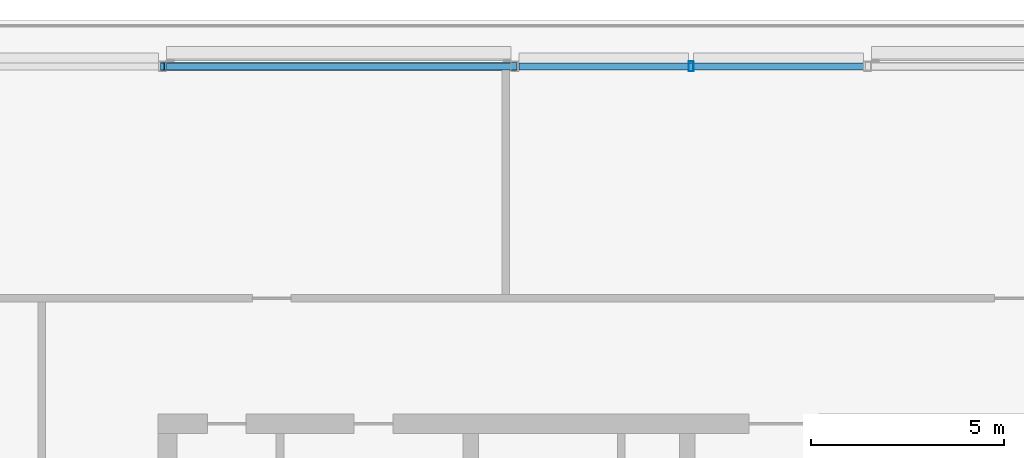
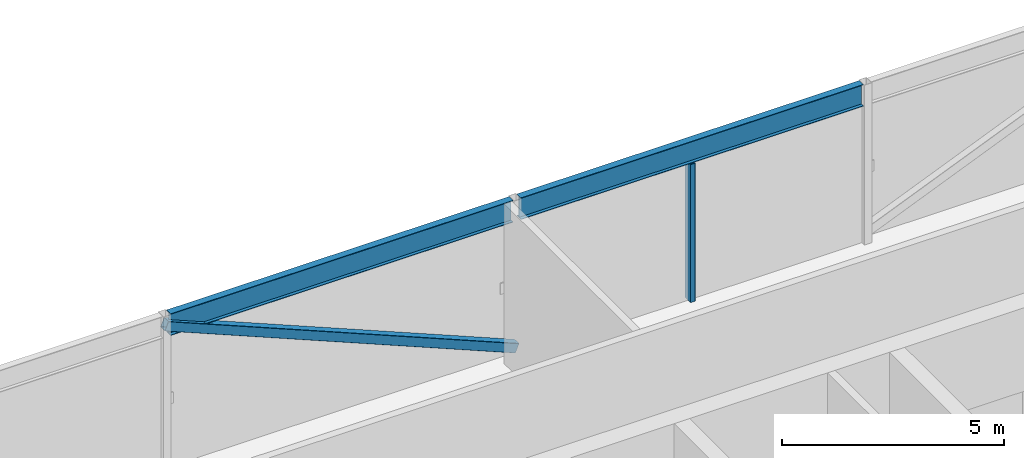
# One storey, part 12 of 29: 2 beams, 2 members.
"""IFC4 building model written with IfcOpenShell, lengths in metres."""

import ifcopenshell
import ifcopenshell.guid

model = None  # the IFC model being written
_history = None  # IfcOwnerHistory: only IFC2X3 demands one
_inside = {}  # id of a spatial element -> (the spatial element, [elements in it])
_under = {}  # id of a project, library or spatial element -> (it, [spatial elements below it])
_declared = {}  # id of a project -> (the project, [libraries it declares])
_typed = {}  # id of a type object -> (the type object, [elements of that type])
_made_of = {}  # id of a material, layer set ... -> (it, [elements and type objects made of it])


def new_model(schema):
    """Start an empty IFC model of exactly this schema.

    Asked for "IFC4X3", IfcOpenShell would pick the latest addendum, in which some entities
    have other attributes; the version numbers below select the first issue.
    IFC2X3 requires an IfcOwnerHistory on every rooted entity: one is made here for all.
    """
    global model, _history
    if schema == "IFC4X3":
        model = ifcopenshell.file(schema_version=(4, 3, 0, 0))
    else:
        model = ifcopenshell.file(schema=schema)
    _inside.clear()
    _under.clear()
    _declared.clear()
    _typed.clear()
    _made_of.clear()
    _history = None
    if model.schema == "IFC2X3":
        org = make("IfcOrganization", Name="unknown")
        user = make(
            "IfcPersonAndOrganization",
            ThePerson=make("IfcPerson", FamilyName="unknown"),
            TheOrganization=org,
        )
        app = make(
            "IfcApplication",
            ApplicationDeveloper=org,
            Version="unknown",
            ApplicationFullName="unknown",
            ApplicationIdentifier="unknown",
        )
        _history = make(
            "IfcOwnerHistory",
            OwningUser=user,
            OwningApplication=app,
            ChangeAction="ADDED",
            CreationDate=0,
        )
    return model


def make(cls, **values):
    """One entity of the class cls with the attributes given. An attribute that is None is left unset."""
    return model.create_entity(
        cls, **{name: value for name, value in values.items() if value is not None}
    )


def rooted(cls, **values):
    """An entity with a GlobalId (a new one), such as an element, a storey or a relation."""
    return make(cls, GlobalId=ifcopenshell.guid.new(), OwnerHistory=_history, **values)


def si_unit(unit_type, name, prefix=None):
    """IfcSIUnit, for example si_unit("LENGTHUNIT", "METRE", prefix="MILLI")."""
    return make("IfcSIUnit", UnitType=unit_type, Prefix=prefix, Name=name)


def assignment(units):
    """IfcUnitAssignment: the units of a project."""
    return None if units is None else make("IfcUnitAssignment", Units=units)


def point(xyz):
    """IfcCartesianPoint."""
    return None if xyz is None else make("IfcCartesianPoint", Coordinates=xyz)


def direction(xyz):
    """IfcDirection."""
    return None if xyz is None else make("IfcDirection", DirectionRatios=xyz)


def frame(location, z_axis=None, x_axis=None):
    """IfcAxis2Placement3D, a coordinate frame: its origin and axes. An axis left out is left unset."""
    return make(
        "IfcAxis2Placement3D",
        Location=point(location),
        Axis=direction(z_axis),
        RefDirection=direction(x_axis),
    )


def frame_2d(location, x_axis=None):
    """IfcAxis2Placement2D, a coordinate frame in the plane: its origin and x axis."""
    return make(
        "IfcAxis2Placement2D", Location=point(location), RefDirection=direction(x_axis)
    )


def origin():
    """The frame at (0, 0, 0) with its axes left unset."""
    return frame((0.0, 0.0, 0.0))


def origin_2d():
    """The frame at (0, 0) in the plane with its x axis left unset."""
    return frame_2d((0.0, 0.0))


def place(relative_to, where):
    """IfcLocalPlacement: puts the frame where relative to a parent placement (None: the world)."""
    return make(
        "IfcLocalPlacement", PlacementRelTo=relative_to, RelativePlacement=where
    )


def context(
    kind, dimensions, precision=None, world=None, true_north=None, identifier=None
):
    """IfcGeometricRepresentationContext, for example the 3D "Model" context."""
    return make(
        "IfcGeometricRepresentationContext",
        ContextIdentifier=identifier,
        ContextType=kind,
        CoordinateSpaceDimension=dimensions,
        Precision=precision,
        WorldCoordinateSystem=world,
        TrueNorth=true_north,
    )


def subcontext(parent, identifier, kind, view, scale=None):
    """IfcGeometricRepresentationSubContext, for example "Body" below "Model"."""
    return make(
        "IfcGeometricRepresentationSubContext",
        ContextIdentifier=identifier,
        ContextType=kind,
        ParentContext=parent,
        TargetScale=scale,
        TargetView=view,
    )


def project(units=None, contexts=None):
    """IfcProject with its units and contexts."""
    return rooted(
        "IfcProject",
        Name="project",
        RepresentationContexts=contexts,
        UnitsInContext=assignment(units),
    )


def spatial(cls, under=None, at=None, **own):
    """A site, building, storey or space (cls), placed at a placement, below another one or the project."""
    s = rooted(cls, ObjectPlacement=at, **own)
    if under is not None:
        _under.setdefault(under.id(), (under, []))[1].append(s)
    return s


def profile(cls, at=None, kind="AREA", **sizes):
    """A parametric profile (cls). Its sizes go by their IFC names, for example OverallWidth=200.0."""
    return make(cls, ProfileType=kind, Position=at, **sizes)


def hollow_rectangle(**sizes):
    """IfcRectangleHollowProfileDef."""
    return profile("IfcRectangleHollowProfileDef", **sizes)


def i_section(**sizes):
    """IfcIShapeProfileDef."""
    return profile("IfcIShapeProfileDef", **sizes)


def extrude(swept, where, along, depth):
    """IfcExtrudedAreaSolid: the profile swept, set in the frame where, extruded along a direction by depth."""
    return make(
        "IfcExtrudedAreaSolid",
        SweptArea=swept,
        Position=where,
        ExtrudedDirection=direction(along),
        Depth=depth,
    )


def shape(context_of_items, identifier, shape_type, items):
    """IfcShapeRepresentation: the items that make up one representation, for example the "Body"."""
    return make(
        "IfcShapeRepresentation",
        ContextOfItems=context_of_items,
        RepresentationIdentifier=identifier,
        RepresentationType=shape_type,
        Items=items,
    )


def material(Name=None, Category=None):
    """IfcMaterial."""
    return make("IfcMaterial", Name=Name, Category=Category)


def material_profile(
    of_material, cross_section, Name=None, Category=None, Priority=None
):
    """IfcMaterialProfile: a cross section and its material."""
    return make(
        "IfcMaterialProfile",
        Name=Name,
        Material=of_material,
        Profile=cross_section,
        Priority=Priority,
        Category=Category,
    )


def profile_set(profiles, Name=None, composite=None):
    """IfcMaterialProfileSet."""
    return make(
        "IfcMaterialProfileSet",
        Name=Name,
        MaterialProfiles=profiles,
        CompositeProfile=composite,
    )


def made_of(thing, what):
    """Note that an element or type object is made of a material, layer set ...; save() writes the relation."""
    if what is not None:
        _made_of.setdefault(what.id(), (what, []))[1].append(thing)
    return thing


def type_object(cls, material=None, **own):
    """A type object (cls), such as IfcWallType, which elements share."""
    return made_of(rooted(cls, **own), material)


def element(
    cls,
    number,
    at=None,
    inside=None,
    cuts=None,
    type_object=None,
    material=None,
    context=None,
    identifier="Body",
    shape_type=None,
    held_by="IfcProductDefinitionShape",
    body=None,
    shapes=None,
    **own,
):
    """One element of the class cls, such as IfcWall. Its Tag is "e" and its number.

    at: its placement. inside: the storey or other place that contains it. cuts: it is an
    opening in that element (IfcRelVoidsElement). A single representation is given by context,
    identifier, shape_type and body (its items); several are given by shapes. held_by: the class
    of the entity that holds the representations. save() writes the other relations.
    """
    e = rooted(cls, Tag="e%d" % number, ObjectPlacement=at, **own)
    if body is not None:
        shapes = [shape(context, identifier, shape_type, body)]
    if shapes is not None:
        e.Representation = make(held_by, Representations=shapes)
    if inside is not None:
        _inside.setdefault(inside.id(), (inside, []))[1].append(e)
    if cuts is not None:
        rooted(
            "IfcRelVoidsElement", RelatingBuildingElement=cuts, RelatedOpeningElement=e
        )
    if type_object is not None:
        _typed.setdefault(type_object.id(), (type_object, []))[1].append(e)
    return made_of(e, material)


def aggregate(whole, parts):
    """IfcRelAggregates: a whole, such as a stair, and the parts it consists of."""
    return rooted("IfcRelAggregates", RelatingObject=whole, RelatedObjects=parts)


def save(model, path):
    """Write the relations noted so far, then the file.

    IfcRelAggregates (storeys below a building ...), IfcRelContainedInSpatialStructure (elements
    in a storey), IfcRelDefinesByType, IfcRelAssociatesMaterial and IfcRelDeclares: one each for
    every whole, place, type object, material and project.
    """
    for whole, parts in _under.values():
        aggregate(whole, parts)
    for where, things in _inside.values():
        rooted(
            "IfcRelContainedInSpatialStructure",
            RelatedElements=things,
            RelatingStructure=where,
        )
    for kind, things in _typed.values():
        rooted("IfcRelDefinesByType", RelatedObjects=things, RelatingType=kind)
    for what, things in _made_of.values():
        rooted("IfcRelAssociatesMaterial", RelatedObjects=things, RelatingMaterial=what)
    for by, libraries in _declared.values():
        rooted("IfcRelDeclares", RelatingContext=by, RelatedDefinitions=libraries)
    model.write(path)


model = new_model("IFC4")

# Units and contexts
model_context = context("Model", 3, precision=1e-05, world=origin(), true_north=direction((0.0, 1.0)))
body_context = subcontext(model_context, "Body", "Model", "MODEL_VIEW")
ifc_project = project(units=[si_unit("LENGTHUNIT", "METRE"), si_unit("AREAUNIT", "SQUARE_METRE"), si_unit("VOLUMEUNIT", "CUBIC_METRE"), si_unit("PLANEANGLEUNIT", "RADIAN"), si_unit("MASSUNIT", "GRAM", prefix="KILO")], contexts=[model_context])

# Site, building, storey
site_placement = place(None, origin())
site = spatial("IfcSite", under=ifc_project, at=site_placement, CompositionType="ELEMENT")
building_placement = place(site_placement, origin())
building = spatial("IfcBuilding", under=site, at=building_placement, Name="Madar Terraces", CompositionType="ELEMENT")
storey_placement = place(building_placement, frame((0.0, 0.0, 296.300048828125)))
storey = spatial("IfcBuildingStorey", under=building, at=storey_placement, Name="L77", CompositionType="ELEMENT", Elevation=296.300048828125)

# Beams
ifc_material_1 = material(Name="Steel ASTM A992 Grade 50", Category="steel")
ifc_material_profile_1 = material_profile(ifc_material_1, i_section(OverallWidth=0.1787109375, OverallDepth=0.60205078125, WebThickness=0.010986328125, FlangeThickness=0.014892578125, at=origin_2d()), Name="W24x62")
ifc_profile_set_1 = profile_set([ifc_material_profile_1], Name="Steel ASTM A992 Grade 50")
beam_type = type_object("IfcBeamType", Name="CF2 W24x62", PredefinedType="BEAM", material=ifc_profile_set_1)
for number, where, z_axis, x_axis, name in (
    (1, (33.25830078125, 46.800048828125, 4.098876953125), (-1.0, 0.0, 0.0), (0.0, -1.0, 0.0), "Crown frame ring beam CF2"),
    (2, (24.138427734375, 46.800048828125, 4.098876953125), (-1.0, 0.0, 0.0), (0.0, -1.0, 0.0), "Crown frame ring beam CF2"),
):
    element("IfcBeam", number, at=place(storey_placement, frame(where, z_axis=z_axis, x_axis=x_axis)), inside=storey, type_object=beam_type, Name=name, PredefinedType="BEAM", context=body_context, shape_type="SweptSolid", body=[
        extrude(i_section(OverallWidth=0.1787109375, OverallDepth=0.60205078125, WebThickness=0.010986328125, FlangeThickness=0.014892578125, at=origin_2d()), origin(), (0.0, 0.0, 1.0), 8.916748046875),
    ])

# Members
ifc_material_2 = material(Name="Steel ASTM A500 Grade C", Category="steel")
ifc_material_profile_2 = material_profile(ifc_material_2, hollow_rectangle(XDim=0.203125, YDim=0.25390625, WallThickness=0.009521484375, InnerFilletRadius=0.00439453125, OuterFilletRadius=0.01318359375, at=origin_2d()), Name="HSS10x8x.375")
ifc_profile_set_2 = profile_set([ifc_material_profile_2], Name="Steel ASTM A500 Grade C")
member_type_1 = type_object("IfcMemberType", Name="CF5 crown frame brace HSS10x8x.375", PredefinedType="BRACE", material=ifc_profile_set_2)
member_1_placement = place(storey_placement, frame((24.239990234375, 46.800048828125, 0.300048828125), z_axis=(-0.923117129882, 0.0, 0.384518874072), x_axis=(0.0, -1.0, 0.0)))
element("IfcMember", 3, at=member_1_placement, inside=storey, type_object=member_type_1, Name="Crown frame brace CF5", PredefinedType="BRACE", context=body_context, shape_type="SweptSolid", body=[
    extrude(hollow_rectangle(XDim=0.203125, YDim=0.25390625, WallThickness=0.009521484375, InnerFilletRadius=0.00439453125, OuterFilletRadius=0.01318359375, at=origin_2d()), origin(), (0.0, 0.0, 1.0), 9.87939453125),
])
ifc_material_3 = material(Name="Steel ASTM A500 Grade C", Category="steel")
ifc_material_profile_3 = material_profile(ifc_material_3, hollow_rectangle(XDim=0.126953125, YDim=0.25390625, WallThickness=0.00634765625, InnerFilletRadius=0.0029296875, OuterFilletRadius=0.0087890625, at=origin_2d()), Name="HSS10x5x.25")
ifc_profile_set_3 = profile_set([ifc_material_profile_3], Name="Steel ASTM A500 Grade C")
member_type_2 = type_object("IfcMemberType", Name="LS2 HSS10x5x.25", PredefinedType="POST", material=ifc_profile_set_3)
member_2_placement = place(storey_placement, frame((28.800048828125, 46.800048828125, 0.0), z_axis=(0.0, 0.0, 1.0), x_axis=(-1.0, 0.0, 0.0)))
element("IfcMember", 4, at=member_2_placement, inside=storey, type_object=member_type_2, Name="Crown louvre post LS2", PredefinedType="POST", context=body_context, shape_type="SweptSolid", body=[
    extrude(hollow_rectangle(XDim=0.126953125, YDim=0.25390625, WallThickness=0.00634765625, InnerFilletRadius=0.0029296875, OuterFilletRadius=0.0087890625, at=origin_2d()), origin(), (0.0, 0.0, 1.0), 3.7978515625),
])

save(model, "model.ifc")
